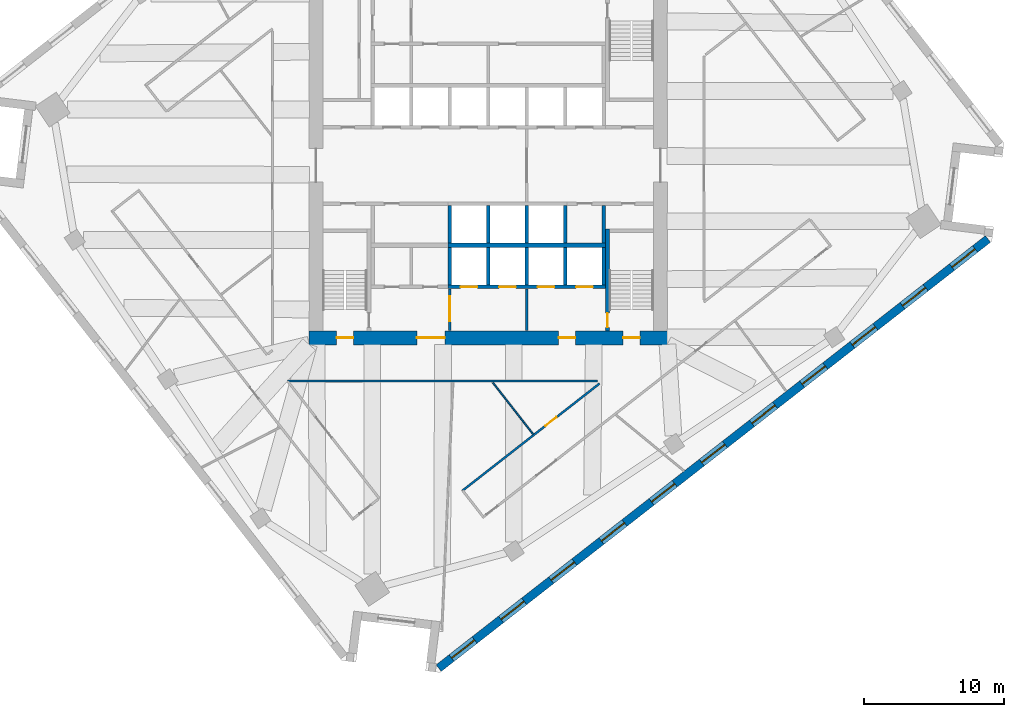
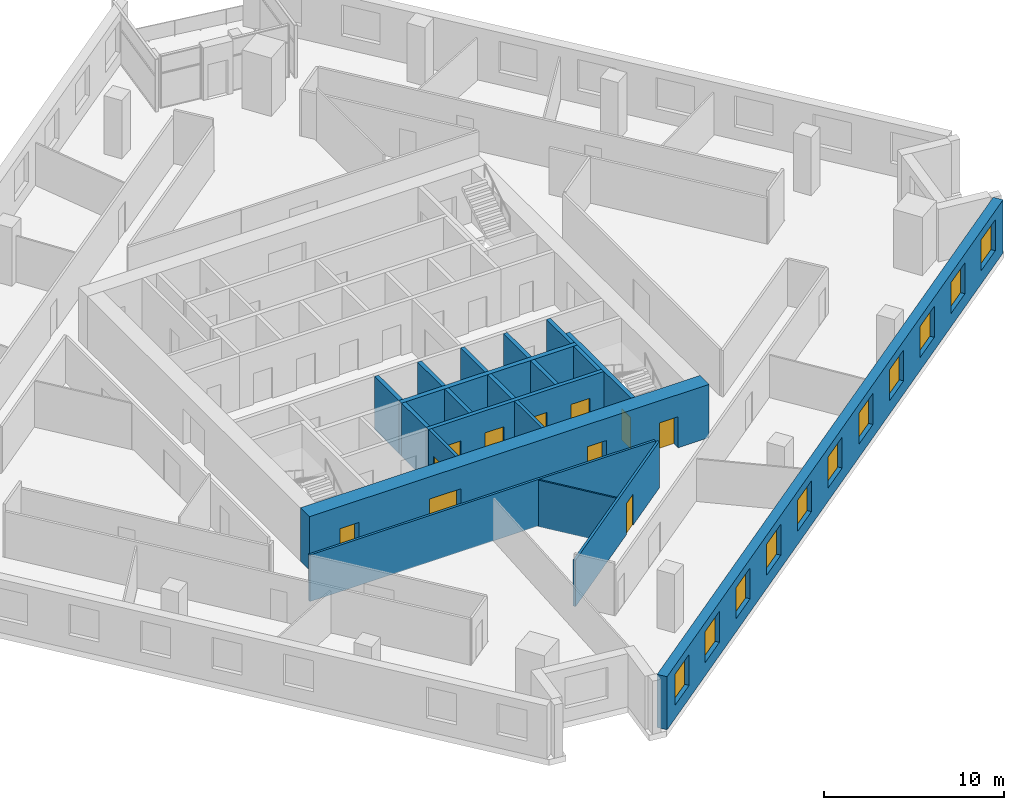
# One storey, part 5 of 11: 20 walls, 11 doors, 11 windows, 22 openings.
"""IFC4 building model written with IfcOpenShell, lengths in metres."""

from ifc_helpers import new_model, si_unit, direction, frame, frame_2d, origin, place, context, subcontext, project, spatial, rectangle, extrude, material, layer, layer_set, type_object, element, fill, save


model = new_model("IFC4")

# Units and contexts
model_context = context("Model", 3, precision=1e-05, world=origin(), true_north=direction((0.0, 1.0)))
body_context = subcontext(model_context, "Body", "Model", "MODEL_VIEW")
ifc_project = project(units=[si_unit("LENGTHUNIT", "METRE"), si_unit("AREAUNIT", "SQUARE_METRE"), si_unit("VOLUMEUNIT", "CUBIC_METRE"), si_unit("PLANEANGLEUNIT", "RADIAN"), si_unit("MASSUNIT", "GRAM", prefix="KILO")], contexts=[model_context])

# Site, building, storey
site_placement = place(None, origin())
site = spatial("IfcSite", under=ifc_project, at=site_placement, CompositionType="ELEMENT")
building_placement = place(site_placement, origin())
building = spatial("IfcBuilding", under=site, at=building_placement, Name="Dilmun Exchange Tower", CompositionType="ELEMENT")
storey_placement = place(building_placement, frame((0.0, 0.0, 175.699951171875)))
storey = spatial("IfcBuildingStorey", under=building, at=storey_placement, Name="L41", CompositionType="ELEMENT", Elevation=175.699951171875)

# Wall, opening, door
ifc_material_1 = material(Name="Concrete C40/50", Category="concrete")
ifc_layer_1 = layer(ifc_material_1, 0.199951171875)
ifc_layer_set_1 = layer_set([ifc_layer_1], Name="Concrete C40/50")
wall_type_1 = type_object("IfcWallType", Name="Core partition wall 200", PredefinedType="PARTITIONING", material=ifc_layer_set_1)
wall_1_placement = place(storey_placement, frame((-2.75, -11.794921875, 0.0), z_axis=(0.0, 0.0, 1.0), x_axis=(0.0, 1.0, 0.0)))
wall_1 = element("IfcWall", 1, at=wall_1_placement, inside=storey, type_object=wall_type_1, Name="L41 core partition wall 01", PredefinedType="PARTITIONING", context=body_context, shape_type="SweptSolid", body=[
    extrude(rectangle(XDim=2.989990234375, YDim=0.199951171875, at=frame_2d((1.4951171875, 0.0))), origin(), (0.0, 0.0, 1.0), 3.60009765625),
])
opening_1_placement = place(wall_1_placement, frame((0.657470703125, 0.0, 0.0)))
opening_1 = element("IfcOpeningElement", 2, at=opening_1_placement, cuts=wall_1, Name="Opening CD5", PredefinedType="OPENING", context=body_context, shape_type="SweptSolid", body=[
    extrude(rectangle(XDim=1.800048828125, YDim=2.10009765625, at=frame_2d((0.89990234375, 1.050048828125))), frame((0.0, 0.10986328125, 0.0), z_axis=(0.0, -1.0, 0.0), x_axis=(1.0, 0.0, 0.0)), (0.0, 0.0, 1.0), 0.219970703125),
])
ifc_material_2 = material(Name="Fire-rated steel door set", Category="steel")
door_type_1 = type_object("IfcDoorType", Name="Stair exit door 1800x2100", OperationType="SINGLE_SWING_LEFT", PredefinedType="DOOR", material=ifc_material_2)
door_1_placement = place(opening_1_placement, origin())
door_1 = element("IfcDoor", 3, at=door_1_placement, inside=storey, type_object=door_type_1, Name="L41 door Service lobby east", OperationType="SINGLE_SWING_LEFT", OverallHeight=2.10009765625, OverallWidth=1.800048828125, PredefinedType="DOOR", context=body_context, shape_type="SweptSolid", body=[
    extrude(rectangle(XDim=1.800048828125, YDim=2.10009765625, at=frame_2d((0.89990234375, 1.050048828125))), frame((0.0, 0.02490234375, 0.0), z_axis=(0.0, -1.0, 0.0), x_axis=(1.0, 0.0, 0.0)), (0.0, 0.0, 1.0), 0.050048828125),
])
fill(opening_1, door_1)

# Walls
wall_2_placement = place(storey_placement, frame((2.75, -11.794921875, 0.0), z_axis=(0.0, 0.0, 1.0), x_axis=(0.0, 1.0, 0.0)))
element("IfcWall", 4, at=wall_2_placement, inside=storey, type_object=wall_type_1, Name="L41 core partition wall 02", PredefinedType="PARTITIONING", context=body_context, shape_type="SweptSolid", body=[
    extrude(rectangle(XDim=2.989990234375, YDim=0.199951171875, at=frame_2d((1.4951171875, 0.0))), origin(), (0.0, 0.0, 1.0), 3.60009765625),
])
ifc_layer_2 = layer(ifc_material_1, 0.25)
ifc_layer_set_2 = layer_set([ifc_layer_2], Name="Concrete C40/50")
wall_type_2 = type_object("IfcWallType", Name="Core partition wall 250", PredefinedType="PARTITIONING", material=ifc_layer_set_2)
wall_3_placement = place(storey_placement, frame((8.25, -5.544921875, 0.0), z_axis=(0.0, 0.0, 1.0), x_axis=(0.0, 1.0, 0.0)))
element("IfcWall", 5, at=wall_3_placement, inside=storey, type_object=wall_type_2, Name="L41 core partition wall 08", PredefinedType="PARTITIONING", context=body_context, shape_type="SweptSolid", body=[
    extrude(rectangle(XDim=2.68994140625, YDim=0.25, at=frame_2d((1.344970703125, 0.0))), origin(), (0.0, 0.0, 1.0), 3.60009765625),
])

# Wall, openings, doors
ifc_material_3 = material(Name="Concrete C70/85", Category="concrete")
ifc_layer_3 = layer(ifc_material_3, 1.0)
ifc_layer_set_3 = layer_set([ifc_layer_3], Name="Concrete C70/85")
wall_type_3 = type_object("IfcWallType", Name="Core shear wall 1000 Concrete C70/85", PredefinedType="SHEAR", material=ifc_layer_set_3)
wall_4_placement = place(storey_placement, frame((-12.800048828125, -12.300048828125, 0.0), z_axis=(0.0, 0.0, 1.0), x_axis=(1.0, 0.0, 0.0)))
wall_4 = element("IfcWall", 6, at=wall_4_placement, inside=storey, type_object=wall_type_3, Name="L41 core shear wall S", PredefinedType="SHEAR", context=body_context, shape_type="SweptSolid", body=[
    extrude(rectangle(XDim=25.60009765625, YDim=1.0, at=frame_2d((12.800048828125, 0.0))), origin(), (0.0, 0.0, 1.0), 3.60009765625),
])
opening_2_placement = place(wall_4_placement, frame((7.699951171875, 0.0, 0.0)))
opening_2 = element("IfcOpeningElement", 7, at=opening_2_placement, cuts=wall_4, Name="Opening CD2", PredefinedType="OPENING", context=body_context, shape_type="SweptSolid", body=[
    extrude(rectangle(XDim=2.0, YDim=2.10009765625, at=frame_2d((1.0, 1.050048828125))), frame((0.0, 0.510009765625, 0.0), z_axis=(0.0, -1.0, 0.0), x_axis=(1.0, 0.0, 0.0)), (0.0, 0.0, 1.0), 1.02001953125),
])
opening_3_placement = place(wall_4_placement, frame((17.824951171875, 0.0, 0.0)))
opening_3 = element("IfcOpeningElement", 8, at=opening_3_placement, cuts=wall_4, Name="Opening CD3", PredefinedType="OPENING", context=body_context, shape_type="SweptSolid", body=[
    extrude(rectangle(XDim=1.199951171875, YDim=2.10009765625, at=frame_2d((0.60009765625, 1.050048828125))), frame((0.0, 0.510009765625, 0.0), z_axis=(0.0, -1.0, 0.0), x_axis=(1.0, 0.0, 0.0)), (0.0, 0.0, 1.0), 1.02001953125),
])
opening_4_placement = place(wall_4_placement, frame((1.97509765625, 0.0, 0.0)))
opening_4 = element("IfcOpeningElement", 9, at=opening_4_placement, cuts=wall_4, Name="Opening CD3", PredefinedType="OPENING", context=body_context, shape_type="SweptSolid", body=[
    extrude(rectangle(XDim=1.199951171875, YDim=2.10009765625, at=frame_2d((0.60009765625, 1.050048828125))), frame((0.0, 0.510009765625, 0.0), z_axis=(0.0, -1.0, 0.0), x_axis=(1.0, 0.0, 0.0)), (0.0, 0.0, 1.0), 1.02001953125),
])
opening_5_placement = place(wall_4_placement, frame((22.425048828125, 0.0, 0.0)))
opening_5 = element("IfcOpeningElement", 10, at=opening_5_placement, cuts=wall_4, Name="Opening CD3", PredefinedType="OPENING", context=body_context, shape_type="SweptSolid", body=[
    extrude(rectangle(XDim=1.199951171875, YDim=2.10009765625, at=frame_2d((0.60009765625, 1.050048828125))), frame((0.0, 0.510009765625, 0.0), z_axis=(0.0, -1.0, 0.0), x_axis=(1.0, 0.0, 0.0)), (0.0, 0.0, 1.0), 1.02001953125),
])
door_type_2 = type_object("IfcDoorType", Name="Core service door 2000x2100", OperationType="DOUBLE_DOOR_DOUBLE_SWING", PredefinedType="DOOR", material=ifc_material_2)
door_2_placement = place(opening_2_placement, origin())
door_2 = element("IfcDoor", 11, at=door_2_placement, inside=storey, type_object=door_type_2, Name="L41 door South service lobby", OperationType="SINGLE_SWING_LEFT", OverallHeight=2.10009765625, OverallWidth=2.0, PredefinedType="DOOR", context=body_context, shape_type="SweptSolid", body=[
    extrude(rectangle(XDim=2.0, YDim=2.10009765625, at=frame_2d((1.0, 1.050048828125))), frame((0.0, 0.02490234375, 0.0), z_axis=(0.0, -1.0, 0.0), x_axis=(1.0, 0.0, 0.0)), (0.0, 0.0, 1.0), 0.050048828125),
])
fill(opening_2, door_2)
door_type_3 = type_object("IfcDoorType", Name="Stair exit door 1200x2100", OperationType="SINGLE_SWING_LEFT", PredefinedType="DOOR", material=ifc_material_2)
door_3_placement = place(opening_3_placement, origin())
door_3 = element("IfcDoor", 12, at=door_3_placement, inside=storey, type_object=door_type_3, Name="L41 door Fire-fighting lobby", OperationType="SINGLE_SWING_LEFT", OverallHeight=2.10009765625, OverallWidth=1.199951171875, PredefinedType="DOOR", context=body_context, shape_type="SweptSolid", body=[
    extrude(rectangle(XDim=1.199951171875, YDim=2.10009765625, at=frame_2d((0.60009765625, 1.050048828125))), frame((0.0, 0.02490234375, 0.0), z_axis=(0.0, -1.0, 0.0), x_axis=(1.0, 0.0, 0.0)), (0.0, 0.0, 1.0), 0.050048828125),
])
fill(opening_3, door_3)
door_4_placement = place(opening_4_placement, origin())
door_4 = element("IfcDoor", 13, at=door_4_placement, inside=storey, type_object=door_type_3, Name="L41 door Stair ST2", OperationType="SINGLE_SWING_LEFT", OverallHeight=2.10009765625, OverallWidth=1.199951171875, PredefinedType="DOOR", context=body_context, shape_type="SweptSolid", body=[
    extrude(rectangle(XDim=1.199951171875, YDim=2.10009765625, at=frame_2d((0.60009765625, 1.050048828125))), frame((0.0, 0.02490234375, 0.0), z_axis=(0.0, -1.0, 0.0), x_axis=(1.0, 0.0, 0.0)), (0.0, 0.0, 1.0), 0.050048828125),
])
fill(opening_4, door_4)
door_5_placement = place(opening_5_placement, origin())
door_5 = element("IfcDoor", 14, at=door_5_placement, inside=storey, type_object=door_type_3, Name="L41 door Stair ST3", OperationType="SINGLE_SWING_LEFT", OverallHeight=2.10009765625, OverallWidth=1.199951171875, PredefinedType="DOOR", context=body_context, shape_type="SweptSolid", body=[
    extrude(rectangle(XDim=1.199951171875, YDim=2.10009765625, at=frame_2d((0.60009765625, 1.050048828125))), frame((0.0, 0.02490234375, 0.0), z_axis=(0.0, -1.0, 0.0), x_axis=(1.0, 0.0, 0.0)), (0.0, 0.0, 1.0), 0.050048828125),
])
fill(opening_5, door_5)

# Wall
ifc_material_4 = material(Name="Corridor wall 150")
ifc_layer_4 = layer(ifc_material_4, 0.14990234375)
ifc_layer_set_4 = layer_set([ifc_layer_4], Name="Corridor wall 150")
wall_type_4 = type_object("IfcWallType", Name="Corridor wall 150", PredefinedType="PARTITIONING", material=ifc_layer_set_4)
wall_5_placement = place(storey_placement, frame((-14.31201171875, -15.39990234375, 0.0), z_axis=(0.0, 0.0, 1.0), x_axis=(1.0, 0.0, 0.0)))
element("IfcWall", 15, at=wall_5_placement, inside=storey, type_object=wall_type_4, Name="Corridor wall", PredefinedType="PARTITIONING", context=body_context, shape_type="SweptSolid", body=[
    extrude(rectangle(XDim=22.125, YDim=0.14990234375, at=frame_2d((11.0625, 0.0))), origin(), (0.0, 0.0, 1.0), 3.150146484375),
])

# Wall, opening, door
wall_6_placement = place(storey_placement, frame((-1.824951171875, -23.202880859375, 0.0), z_axis=(0.0, 0.0, 1.0), x_axis=(0.788016612455, 0.615653976269, 0.0)))
wall_6 = element("IfcWall", 16, at=wall_6_placement, inside=storey, type_object=wall_type_4, Name="Corridor wall", PredefinedType="PARTITIONING", context=body_context, shape_type="SweptSolid", body=[
    extrude(rectangle(XDim=12.3994140625, YDim=0.14990234375, at=frame_2d((6.19970703125, 0.0))), origin(), (0.0, 0.0, 1.0), 3.150146484375),
])
opening_6_placement = place(wall_6_placement, frame((7.4921875, 0.0, 0.0)))
opening_6 = element("IfcOpeningElement", 17, at=opening_6_placement, cuts=wall_6, Name="Opening TF41-D12", PredefinedType="OPENING", context=body_context, shape_type="SweptSolid", body=[
    extrude(rectangle(XDim=1.0, YDim=2.10009765625, at=frame_2d((0.5, 1.050048828125))), frame((0.0, 0.0849609375, 0.0), z_axis=(0.0, -1.0, 0.0), x_axis=(1.0, 0.0, 0.0)), (0.0, 0.0, 1.0), 0.169921875),
])
ifc_material_5 = material(Name="Fire door 1000 x 2100")
door_type_4 = type_object("IfcDoorType", Name="Fire door 1000 x 2100", OperationType="NOTDEFINED", PredefinedType="DOOR", material=ifc_material_5)
door_6_placement = place(opening_6_placement, origin())
door_6 = element("IfcDoor", 18, at=door_6_placement, inside=storey, type_object=door_type_4, Name="Door TF41-D12", OperationType="SINGLE_SWING_LEFT", OverallHeight=2.10009765625, OverallWidth=1.0, PredefinedType="DOOR", context=body_context, shape_type="SweptSolid", body=[
    extrude(rectangle(XDim=1.0, YDim=2.10009765625, at=frame_2d((0.5, 1.050048828125))), frame((0.0, 0.02490234375, 0.0), z_axis=(0.0, -1.0, 0.0), x_axis=(1.0, 0.0, 0.0)), (0.0, 0.0, 1.0), 0.050048828125),
])
fill(opening_6, door_6)

# Walls
ifc_layer_5 = layer(ifc_material_1, 0.300048828125)
ifc_layer_set_5 = layer_set([ifc_layer_5], Name="Concrete C40/50")
wall_type_5 = type_object("IfcWallType", Name="Lift shaft shared wall 300", PredefinedType="SOLIDWALL", material=ifc_layer_set_5)
wall_7_placement = place(storey_placement, frame((-2.875, -5.699951171875, 0.0), z_axis=(0.0, 0.0, 1.0), x_axis=(1.0, 0.0, 0.0)))
element("IfcWall", 19, at=wall_7_placement, inside=storey, type_object=wall_type_5, Name="L41 lift shaft rear wall S", PredefinedType="SOLIDWALL", context=body_context, shape_type="SweptSolid", body=[
    extrude(rectangle(XDim=11.25, YDim=0.300048828125, at=frame_2d((5.625, 0.0))), origin(), (0.0, 0.0, 1.0), 3.60009765625),
])
ifc_layer_6 = layer(ifc_material_1, 0.25)
ifc_layer_set_6 = layer_set([ifc_layer_6], Name="Concrete C40/50")
wall_type_6 = type_object("IfcWallType", Name="Lift shaft wall 250", PredefinedType="SOLIDWALL", material=ifc_layer_set_6)
for number, where, z_axis, x_axis, name in (
    (20, (-2.75, -5.550048828125, 0.0), (0.0, 0.0, 1.0), (0.0, 1.0, 0.0), "L41 lift shaft divider S12"),
    (21, (0.0, -5.550048828125, 0.0), (0.0, 0.0, 1.0), (0.0, 1.0, 0.0), "L41 lift shaft divider S13"),
    (22, (2.75, -5.550048828125, 0.0), (0.0, 0.0, 1.0), (0.0, 1.0, 0.0), "L41 lift shaft divider S14"),
    (23, (5.5, -5.550048828125, 0.0), (0.0, 0.0, 1.0), (0.0, 1.0, 0.0), "L41 lift shaft divider S15"),
):
    element("IfcWall", number, at=place(storey_placement, frame(where, z_axis=z_axis, x_axis=x_axis)), inside=storey, type_object=wall_type_6, Name=name, PredefinedType="SOLIDWALL", context=body_context, shape_type="SweptSolid", body=[
        extrude(rectangle(XDim=2.699951171875, YDim=0.25, at=frame_2d((1.35009765625, 0.0))), origin(), (0.0, 0.0, 1.0), 3.60009765625),
    ])

# Wall, openings, doors
wall_8_placement = place(storey_placement, frame((-2.875, -8.675048828125, 0.0), z_axis=(0.0, 0.0, 1.0), x_axis=(1.0, 0.0, 0.0)))
wall_8 = element("IfcWall", 24, at=wall_8_placement, inside=storey, type_object=wall_type_6, Name="L41 lift shaft front wall S2", PredefinedType="SOLIDWALL", context=body_context, shape_type="SweptSolid", body=[
    extrude(rectangle(XDim=11.25, YDim=0.25, at=frame_2d((5.625, 0.0))), origin(), (0.0, 0.0, 1.0), 3.60009765625),
])
opening_7_placement = place(wall_8_placement, frame((0.89990234375, 0.0, 0.0)))
opening_7 = element("IfcOpeningElement", 25, at=opening_7_placement, cuts=wall_8, Name="Opening LD", PredefinedType="OPENING", context=body_context, shape_type="SweptSolid", body=[
    extrude(rectangle(XDim=1.199951171875, YDim=2.10009765625, at=frame_2d((0.60009765625, 1.050048828125))), frame((0.0, 0.135009765625, 0.0), z_axis=(0.0, -1.0, 0.0), x_axis=(1.0, 0.0, 0.0)), (0.0, 0.0, 1.0), 0.27001953125),
])
opening_8_placement = place(wall_8_placement, frame((3.64990234375, 0.0, 0.0)))
opening_8 = element("IfcOpeningElement", 26, at=opening_8_placement, cuts=wall_8, Name="Opening LD", PredefinedType="OPENING", context=body_context, shape_type="SweptSolid", body=[
    extrude(rectangle(XDim=1.199951171875, YDim=2.10009765625, at=frame_2d((0.60009765625, 1.050048828125))), frame((0.0, 0.135009765625, 0.0), z_axis=(0.0, -1.0, 0.0), x_axis=(1.0, 0.0, 0.0)), (0.0, 0.0, 1.0), 0.27001953125),
])
opening_9_placement = place(wall_8_placement, frame((6.39990234375, 0.0, 0.0)))
opening_9 = element("IfcOpeningElement", 27, at=opening_9_placement, cuts=wall_8, Name="Opening LD", PredefinedType="OPENING", context=body_context, shape_type="SweptSolid", body=[
    extrude(rectangle(XDim=1.199951171875, YDim=2.10009765625, at=frame_2d((0.60009765625, 1.050048828125))), frame((0.0, 0.135009765625, 0.0), z_axis=(0.0, -1.0, 0.0), x_axis=(1.0, 0.0, 0.0)), (0.0, 0.0, 1.0), 0.27001953125),
])
opening_10_placement = place(wall_8_placement, frame((9.14990234375, 0.0, 0.0)))
opening_10 = element("IfcOpeningElement", 28, at=opening_10_placement, cuts=wall_8, Name="Opening LD", PredefinedType="OPENING", context=body_context, shape_type="SweptSolid", body=[
    extrude(rectangle(XDim=1.199951171875, YDim=2.10009765625, at=frame_2d((0.60009765625, 1.050048828125))), frame((0.0, 0.135009765625, 0.0), z_axis=(0.0, -1.0, 0.0), x_axis=(1.0, 0.0, 0.0)), (0.0, 0.0, 1.0), 0.27001953125),
])
door_type_5 = type_object("IfcDoorType", Name="Lift landing door 1200x2100", OperationType="DOUBLE_DOOR_SLIDING", PredefinedType="DOOR", material=ifc_material_2)
door_7_placement = place(opening_7_placement, origin())
door_7 = element("IfcDoor", 29, at=door_7_placement, inside=storey, type_object=door_type_5, Name="L41 landing door SV1", OperationType="DOUBLE_DOOR_SLIDING", OverallHeight=2.10009765625, OverallWidth=1.199951171875, PredefinedType="DOOR", context=body_context, shape_type="SweptSolid", body=[
    extrude(rectangle(XDim=1.199951171875, YDim=2.10009765625, at=frame_2d((0.60009765625, 1.050048828125))), frame((0.0, 0.02490234375, 0.0), z_axis=(0.0, -1.0, 0.0), x_axis=(1.0, 0.0, 0.0)), (0.0, 0.0, 1.0), 0.050048828125),
])
fill(opening_7, door_7)
door_8_placement = place(opening_8_placement, origin())
door_8 = element("IfcDoor", 30, at=door_8_placement, inside=storey, type_object=door_type_5, Name="L41 landing door SV2", OperationType="DOUBLE_DOOR_SLIDING", OverallHeight=2.10009765625, OverallWidth=1.199951171875, PredefinedType="DOOR", context=body_context, shape_type="SweptSolid", body=[
    extrude(rectangle(XDim=1.199951171875, YDim=2.10009765625, at=frame_2d((0.60009765625, 1.050048828125))), frame((0.0, 0.02490234375, 0.0), z_axis=(0.0, -1.0, 0.0), x_axis=(1.0, 0.0, 0.0)), (0.0, 0.0, 1.0), 0.050048828125),
])
fill(opening_8, door_8)
door_9_placement = place(opening_9_placement, origin())
door_9 = element("IfcDoor", 31, at=door_9_placement, inside=storey, type_object=door_type_5, Name="L41 landing door FF1", OperationType="DOUBLE_DOOR_SLIDING", OverallHeight=2.10009765625, OverallWidth=1.199951171875, PredefinedType="DOOR", context=body_context, shape_type="SweptSolid", body=[
    extrude(rectangle(XDim=1.199951171875, YDim=2.10009765625, at=frame_2d((0.60009765625, 1.050048828125))), frame((0.0, 0.02490234375, 0.0), z_axis=(0.0, -1.0, 0.0), x_axis=(1.0, 0.0, 0.0)), (0.0, 0.0, 1.0), 0.050048828125),
])
fill(opening_9, door_9)
door_10_placement = place(opening_10_placement, origin())
door_10 = element("IfcDoor", 32, at=door_10_placement, inside=storey, type_object=door_type_5, Name="L41 landing door FF2", OperationType="DOUBLE_DOOR_SLIDING", OverallHeight=2.10009765625, OverallWidth=1.199951171875, PredefinedType="DOOR", context=body_context, shape_type="SweptSolid", body=[
    extrude(rectangle(XDim=1.199951171875, YDim=2.10009765625, at=frame_2d((0.60009765625, 1.050048828125))), frame((0.0, 0.02490234375, 0.0), z_axis=(0.0, -1.0, 0.0), x_axis=(1.0, 0.0, 0.0)), (0.0, 0.0, 1.0), 0.050048828125),
])
fill(opening_10, door_10)

# Walls
for number, where, z_axis, x_axis, name in (
    (33, (-2.75, -8.550048828125, 0.0), (0.0, 0.0, 1.0), (0.0, 1.0, 0.0), "L41 lift shaft divider S22"),
    (34, (0.0, -8.550048828125, 0.0), (0.0, 0.0, 1.0), (0.0, 1.0, 0.0), "L41 lift shaft divider S23"),
    (35, (2.75, -8.550048828125, 0.0), (0.0, 0.0, 1.0), (0.0, 1.0, 0.0), "L41 lift shaft divider S24"),
    (36, (5.5, -8.550048828125, 0.0), (0.0, 0.0, 1.0), (0.0, 1.0, 0.0), "L41 lift shaft divider S25"),
    (37, (8.25, -8.550048828125, 0.0), (0.0, 0.0, 1.0), (0.0, 1.0, 0.0), "L41 lift shaft divider S26"),
):
    element("IfcWall", number, at=place(storey_placement, frame(where, z_axis=z_axis, x_axis=x_axis)), inside=storey, type_object=wall_type_6, Name=name, PredefinedType="SOLIDWALL", context=body_context, shape_type="SweptSolid", body=[
        extrude(rectangle(XDim=2.699951171875, YDim=0.25, at=frame_2d((1.35009765625, 0.0))), origin(), (0.0, 0.0, 1.0), 3.60009765625),
    ])
ifc_material_6 = material(Name="Partition 100")
ifc_layer_7 = layer(ifc_material_6, 0.10009765625)
ifc_layer_set_7 = layer_set([ifc_layer_7], Name="Partition 100")
wall_type_7 = type_object("IfcWallType", Name="Partition 100", PredefinedType="PARTITIONING", material=ifc_layer_set_7)
wall_9_placement = place(storey_placement, frame((0.336669921875, -15.505859375, 0.0), z_axis=(0.0, 0.0, 1.0), x_axis=(0.615683690883, -0.787993396407, 0.0)))
element("IfcWall", 38, at=wall_9_placement, inside=storey, type_object=wall_type_7, Name="Partition", PredefinedType="PARTITIONING", context=body_context, shape_type="SweptSolid", body=[
    extrude(rectangle(XDim=4.66015625, YDim=0.10009765625, at=frame_2d((2.330078125, 0.0))), origin(), (0.0, 0.0, 1.0), 3.150146484375),
])

# Wall, openings, windows
ifc_material_7 = material(Name="Precast concrete C50/60", Category="concrete")
ifc_layer_8 = layer(ifc_material_7, 0.60009765625)
ifc_layer_set_8 = layer_set([ifc_layer_8], Name="Precast concrete C50/60")
wall_type_8 = type_object("IfcWallType", Name="Precast stone-clad wall 600", PredefinedType="STANDARD", material=ifc_layer_set_8)
wall_10_placement = place(storey_placement, frame((-3.53369140625, -35.882080078125, 0.0), z_axis=(0.0, 0.0, 1.0), x_axis=(0.788011205374, 0.61566089709, 0.0)))
wall_10 = element("IfcWall", 39, at=wall_10_placement, inside=storey, type_object=wall_type_8, Name="Facade wall L41-15", PredefinedType="STANDARD", context=body_context, shape_type="SweptSolid", body=[
    extrude(rectangle(XDim=49.751708984375, YDim=0.60009765625, at=frame_2d((24.8759765625, 0.0))), origin(), (0.0, 0.0, 1.0), 3.60009765625),
])
opening_11_placement = place(wall_10_placement, frame((1.16064453125, 0.0, 0.89990234375)))
opening_11 = element("IfcOpeningElement", 40, at=opening_11_placement, cuts=wall_10, Name="Opening W210-210", PredefinedType="OPENING", context=body_context, shape_type="SweptSolid", body=[
    extrude(rectangle(XDim=2.10009765625, YDim=2.10009765625, at=frame_2d((1.050048828125, 1.050048828125))), frame((0.0, 0.31005859375, 0.0), z_axis=(0.0, -1.0, 0.0), x_axis=(1.0, 0.0, 0.0)), (0.0, 0.0, 1.0), 0.6201171875),
])
opening_12_placement = place(wall_10_placement, frame((5.643798828125, 0.0, 0.89990234375)))
opening_12 = element("IfcOpeningElement", 41, at=opening_12_placement, cuts=wall_10, Name="Opening W210-210", PredefinedType="OPENING", context=body_context, shape_type="SweptSolid", body=[
    extrude(rectangle(XDim=2.10009765625, YDim=2.10009765625, at=frame_2d((1.050048828125, 1.050048828125))), frame((0.0, 0.31005859375, 0.0), z_axis=(0.0, -1.0, 0.0), x_axis=(1.0, 0.0, 0.0)), (0.0, 0.0, 1.0), 0.6201171875),
])
opening_13_placement = place(wall_10_placement, frame((10.189453125, 0.0, 0.89990234375)))
opening_13 = element("IfcOpeningElement", 42, at=opening_13_placement, cuts=wall_10, Name="Opening W210-210", PredefinedType="OPENING", context=body_context, shape_type="SweptSolid", body=[
    extrude(rectangle(XDim=2.10009765625, YDim=2.10009765625, at=frame_2d((1.050048828125, 1.050048828125))), frame((0.0, 0.31005859375, 0.0), z_axis=(0.0, -1.0, 0.0), x_axis=(1.0, 0.0, 0.0)), (0.0, 0.0, 1.0), 0.6201171875),
])
opening_14_placement = place(wall_10_placement, frame((14.73486328125, 0.0, 0.89990234375)))
opening_14 = element("IfcOpeningElement", 43, at=opening_14_placement, cuts=wall_10, Name="Opening W210-210", PredefinedType="OPENING", context=body_context, shape_type="SweptSolid", body=[
    extrude(rectangle(XDim=2.10009765625, YDim=2.10009765625, at=frame_2d((1.050048828125, 1.050048828125))), frame((0.0, 0.31005859375, 0.0), z_axis=(0.0, -1.0, 0.0), x_axis=(1.0, 0.0, 0.0)), (0.0, 0.0, 1.0), 0.6201171875),
])
opening_15_placement = place(wall_10_placement, frame((19.2802734375, 0.0, 0.89990234375)))
opening_15 = element("IfcOpeningElement", 44, at=opening_15_placement, cuts=wall_10, Name="Opening W210-210", PredefinedType="OPENING", context=body_context, shape_type="SweptSolid", body=[
    extrude(rectangle(XDim=2.10009765625, YDim=2.10009765625, at=frame_2d((1.050048828125, 1.050048828125))), frame((0.0, 0.31005859375, 0.0), z_axis=(0.0, -1.0, 0.0), x_axis=(1.0, 0.0, 0.0)), (0.0, 0.0, 1.0), 0.6201171875),
])
opening_16_placement = place(wall_10_placement, frame((23.82568359375, 0.0, 0.89990234375)))
opening_16 = element("IfcOpeningElement", 45, at=opening_16_placement, cuts=wall_10, Name="Opening W210-210", PredefinedType="OPENING", context=body_context, shape_type="SweptSolid", body=[
    extrude(rectangle(XDim=2.10009765625, YDim=2.10009765625, at=frame_2d((1.050048828125, 1.050048828125))), frame((0.0, 0.31005859375, 0.0), z_axis=(0.0, -1.0, 0.0), x_axis=(1.0, 0.0, 0.0)), (0.0, 0.0, 1.0), 0.6201171875),
])
opening_17_placement = place(wall_10_placement, frame((28.37109375, 0.0, 0.89990234375)))
opening_17 = element("IfcOpeningElement", 46, at=opening_17_placement, cuts=wall_10, Name="Opening W210-210", PredefinedType="OPENING", context=body_context, shape_type="SweptSolid", body=[
    extrude(rectangle(XDim=2.10009765625, YDim=2.10009765625, at=frame_2d((1.050048828125, 1.050048828125))), frame((0.0, 0.31005859375, 0.0), z_axis=(0.0, -1.0, 0.0), x_axis=(1.0, 0.0, 0.0)), (0.0, 0.0, 1.0), 0.6201171875),
])
opening_18_placement = place(wall_10_placement, frame((32.91650390625, 0.0, 0.89990234375)))
opening_18 = element("IfcOpeningElement", 47, at=opening_18_placement, cuts=wall_10, Name="Opening W210-210", PredefinedType="OPENING", context=body_context, shape_type="SweptSolid", body=[
    extrude(rectangle(XDim=2.10009765625, YDim=2.10009765625, at=frame_2d((1.050048828125, 1.050048828125))), frame((0.0, 0.31005859375, 0.0), z_axis=(0.0, -1.0, 0.0), x_axis=(1.0, 0.0, 0.0)), (0.0, 0.0, 1.0), 0.6201171875),
])
opening_19_placement = place(wall_10_placement, frame((37.462158203125, 0.0, 0.89990234375)))
opening_19 = element("IfcOpeningElement", 48, at=opening_19_placement, cuts=wall_10, Name="Opening W210-210", PredefinedType="OPENING", context=body_context, shape_type="SweptSolid", body=[
    extrude(rectangle(XDim=2.10009765625, YDim=2.10009765625, at=frame_2d((1.050048828125, 1.050048828125))), frame((0.0, 0.31005859375, 0.0), z_axis=(0.0, -1.0, 0.0), x_axis=(1.0, 0.0, 0.0)), (0.0, 0.0, 1.0), 0.6201171875),
])
opening_20_placement = place(wall_10_placement, frame((42.007568359375, 0.0, 0.89990234375)))
opening_20 = element("IfcOpeningElement", 49, at=opening_20_placement, cuts=wall_10, Name="Opening W210-210", PredefinedType="OPENING", context=body_context, shape_type="SweptSolid", body=[
    extrude(rectangle(XDim=2.10009765625, YDim=2.10009765625, at=frame_2d((1.050048828125, 1.050048828125))), frame((0.0, 0.31005859375, 0.0), z_axis=(0.0, -1.0, 0.0), x_axis=(1.0, 0.0, 0.0)), (0.0, 0.0, 1.0), 0.6201171875),
])
opening_21_placement = place(wall_10_placement, frame((46.490966796875, 0.0, 0.89990234375)))
opening_21 = element("IfcOpeningElement", 50, at=opening_21_placement, cuts=wall_10, Name="Opening W210-210", PredefinedType="OPENING", context=body_context, shape_type="SweptSolid", body=[
    extrude(rectangle(XDim=2.10009765625, YDim=2.10009765625, at=frame_2d((1.050048828125, 1.050048828125))), frame((0.0, 0.31005859375, 0.0), z_axis=(0.0, -1.0, 0.0), x_axis=(1.0, 0.0, 0.0)), (0.0, 0.0, 1.0), 0.6201171875),
])
ifc_material_8 = material(Name="Clear low-emissivity glass in aluminium frame", Category="aluminium")
window_type = type_object("IfcWindowType", Name="Punched window 2100 x 2100", PartitioningType="DOUBLE_PANEL_VERTICAL", PredefinedType="WINDOW", material=ifc_material_8)
window_1_placement = place(opening_11_placement, origin())
window_1 = element("IfcWindow", 51, at=window_1_placement, inside=storey, type_object=window_type, Name="Window 16.1", OverallHeight=2.10009765625, OverallWidth=2.10009765625, PartitioningType="SINGLE_PANEL", PredefinedType="WINDOW", context=body_context, shape_type="SweptSolid", body=[
    extrude(rectangle(XDim=2.10009765625, YDim=2.10009765625, at=frame_2d((1.050048828125, 1.050048828125))), frame((0.0, 0.030029296875, 0.0), z_axis=(0.0, -1.0, 0.0), x_axis=(1.0, 0.0, 0.0)), (0.0, 0.0, 1.0), 0.06005859375),
])
fill(opening_11, window_1)
window_2_placement = place(opening_12_placement, origin())
window_2 = element("IfcWindow", 52, at=window_2_placement, inside=storey, type_object=window_type, Name="Window 16.2", OverallHeight=2.10009765625, OverallWidth=2.10009765625, PartitioningType="SINGLE_PANEL", PredefinedType="WINDOW", context=body_context, shape_type="SweptSolid", body=[
    extrude(rectangle(XDim=2.10009765625, YDim=2.10009765625, at=frame_2d((1.050048828125, 1.050048828125))), frame((0.0, 0.030029296875, 0.0), z_axis=(0.0, -1.0, 0.0), x_axis=(1.0, 0.0, 0.0)), (0.0, 0.0, 1.0), 0.06005859375),
])
fill(opening_12, window_2)
window_3_placement = place(opening_13_placement, origin())
window_3 = element("IfcWindow", 53, at=window_3_placement, inside=storey, type_object=window_type, Name="Window 16.3", OverallHeight=2.10009765625, OverallWidth=2.10009765625, PartitioningType="SINGLE_PANEL", PredefinedType="WINDOW", context=body_context, shape_type="SweptSolid", body=[
    extrude(rectangle(XDim=2.10009765625, YDim=2.10009765625, at=frame_2d((1.050048828125, 1.050048828125))), frame((0.0, 0.030029296875, 0.0), z_axis=(0.0, -1.0, 0.0), x_axis=(1.0, 0.0, 0.0)), (0.0, 0.0, 1.0), 0.06005859375),
])
fill(opening_13, window_3)
window_4_placement = place(opening_14_placement, origin())
window_4 = element("IfcWindow", 54, at=window_4_placement, inside=storey, type_object=window_type, Name="Window 16.4", OverallHeight=2.10009765625, OverallWidth=2.10009765625, PartitioningType="SINGLE_PANEL", PredefinedType="WINDOW", context=body_context, shape_type="SweptSolid", body=[
    extrude(rectangle(XDim=2.10009765625, YDim=2.10009765625, at=frame_2d((1.050048828125, 1.050048828125))), frame((0.0, 0.030029296875, 0.0), z_axis=(0.0, -1.0, 0.0), x_axis=(1.0, 0.0, 0.0)), (0.0, 0.0, 1.0), 0.06005859375),
])
fill(opening_14, window_4)
window_5_placement = place(opening_15_placement, origin())
window_5 = element("IfcWindow", 55, at=window_5_placement, inside=storey, type_object=window_type, Name="Window 16.5", OverallHeight=2.10009765625, OverallWidth=2.10009765625, PartitioningType="SINGLE_PANEL", PredefinedType="WINDOW", context=body_context, shape_type="SweptSolid", body=[
    extrude(rectangle(XDim=2.10009765625, YDim=2.10009765625, at=frame_2d((1.050048828125, 1.050048828125))), frame((0.0, 0.030029296875, 0.0), z_axis=(0.0, -1.0, 0.0), x_axis=(1.0, 0.0, 0.0)), (0.0, 0.0, 1.0), 0.06005859375),
])
fill(opening_15, window_5)
window_6_placement = place(opening_16_placement, origin())
window_6 = element("IfcWindow", 56, at=window_6_placement, inside=storey, type_object=window_type, Name="Window 16.6", OverallHeight=2.10009765625, OverallWidth=2.10009765625, PartitioningType="SINGLE_PANEL", PredefinedType="WINDOW", context=body_context, shape_type="SweptSolid", body=[
    extrude(rectangle(XDim=2.10009765625, YDim=2.10009765625, at=frame_2d((1.050048828125, 1.050048828125))), frame((0.0, 0.030029296875, 0.0), z_axis=(0.0, -1.0, 0.0), x_axis=(1.0, 0.0, 0.0)), (0.0, 0.0, 1.0), 0.06005859375),
])
fill(opening_16, window_6)
window_7_placement = place(opening_17_placement, origin())
window_7 = element("IfcWindow", 57, at=window_7_placement, inside=storey, type_object=window_type, Name="Window 16.7", OverallHeight=2.10009765625, OverallWidth=2.10009765625, PartitioningType="SINGLE_PANEL", PredefinedType="WINDOW", context=body_context, shape_type="SweptSolid", body=[
    extrude(rectangle(XDim=2.10009765625, YDim=2.10009765625, at=frame_2d((1.050048828125, 1.050048828125))), frame((0.0, 0.030029296875, 0.0), z_axis=(0.0, -1.0, 0.0), x_axis=(1.0, 0.0, 0.0)), (0.0, 0.0, 1.0), 0.06005859375),
])
fill(opening_17, window_7)
window_8_placement = place(opening_18_placement, origin())
window_8 = element("IfcWindow", 58, at=window_8_placement, inside=storey, type_object=window_type, Name="Window 16.8", OverallHeight=2.10009765625, OverallWidth=2.10009765625, PartitioningType="SINGLE_PANEL", PredefinedType="WINDOW", context=body_context, shape_type="SweptSolid", body=[
    extrude(rectangle(XDim=2.10009765625, YDim=2.10009765625, at=frame_2d((1.050048828125, 1.050048828125))), frame((0.0, 0.030029296875, 0.0), z_axis=(0.0, -1.0, 0.0), x_axis=(1.0, 0.0, 0.0)), (0.0, 0.0, 1.0), 0.06005859375),
])
fill(opening_18, window_8)
window_9_placement = place(opening_19_placement, origin())
window_9 = element("IfcWindow", 59, at=window_9_placement, inside=storey, type_object=window_type, Name="Window 16.9", OverallHeight=2.10009765625, OverallWidth=2.10009765625, PartitioningType="SINGLE_PANEL", PredefinedType="WINDOW", context=body_context, shape_type="SweptSolid", body=[
    extrude(rectangle(XDim=2.10009765625, YDim=2.10009765625, at=frame_2d((1.050048828125, 1.050048828125))), frame((0.0, 0.030029296875, 0.0), z_axis=(0.0, -1.0, 0.0), x_axis=(1.0, 0.0, 0.0)), (0.0, 0.0, 1.0), 0.06005859375),
])
fill(opening_19, window_9)
window_10_placement = place(opening_20_placement, origin())
window_10 = element("IfcWindow", 60, at=window_10_placement, inside=storey, type_object=window_type, Name="Window 16.10", OverallHeight=2.10009765625, OverallWidth=2.10009765625, PartitioningType="SINGLE_PANEL", PredefinedType="WINDOW", context=body_context, shape_type="SweptSolid", body=[
    extrude(rectangle(XDim=2.10009765625, YDim=2.10009765625, at=frame_2d((1.050048828125, 1.050048828125))), frame((0.0, 0.030029296875, 0.0), z_axis=(0.0, -1.0, 0.0), x_axis=(1.0, 0.0, 0.0)), (0.0, 0.0, 1.0), 0.06005859375),
])
fill(opening_20, window_10)
window_11_placement = place(opening_21_placement, origin())
window_11 = element("IfcWindow", 61, at=window_11_placement, inside=storey, type_object=window_type, Name="Window 16.11", OverallHeight=2.10009765625, OverallWidth=2.10009765625, PartitioningType="SINGLE_PANEL", PredefinedType="WINDOW", context=body_context, shape_type="SweptSolid", body=[
    extrude(rectangle(XDim=2.10009765625, YDim=2.10009765625, at=frame_2d((1.050048828125, 1.050048828125))), frame((0.0, 0.030029296875, 0.0), z_axis=(0.0, -1.0, 0.0), x_axis=(1.0, 0.0, 0.0)), (0.0, 0.0, 1.0), 0.06005859375),
])
fill(opening_21, window_11)

# Wall, opening, door
ifc_layer_9 = layer(ifc_material_1, 0.27490234375)
ifc_layer_set_9 = layer_set([ifc_layer_9], Name="Concrete C40/50")
wall_type_9 = type_object("IfcWallType", Name="Stair wall 275", PredefinedType="SOLIDWALL", material=ifc_layer_set_9)
wall_11_placement = place(storey_placement, frame((8.512451171875, -4.550048828125, 0.0), z_axis=(0.0, 0.0, 1.0), x_axis=(0.0, -1.0, 0.0)))
wall_11 = element("IfcWall", 62, at=wall_11_placement, inside=storey, type_object=wall_type_9, Name="L41 ST3 wall to lift block", PredefinedType="SOLIDWALL", context=body_context, shape_type="SweptSolid", body=[
    extrude(rectangle(XDim=7.25, YDim=0.27490234375, at=frame_2d((3.625, 0.0))), origin(), (0.0, 0.0, 1.0), 3.60009765625),
])
opening_22_placement = place(wall_11_placement, frame((6.0, 0.0, 0.0)))
opening_22 = element("IfcOpeningElement", 63, at=opening_22_placement, cuts=wall_11, Name="Opening CD4", PredefinedType="OPENING", context=body_context, shape_type="SweptSolid", body=[
    extrude(rectangle(XDim=1.0, YDim=2.10009765625, at=frame_2d((0.5, 1.050048828125))), frame((0.0, 0.1474609375, 0.0), z_axis=(0.0, -1.0, 0.0), x_axis=(1.0, 0.0, 0.0)), (0.0, 0.0, 1.0), 0.294921875),
])
door_type_6 = type_object("IfcDoorType", Name="Core room door 1000x2100", OperationType="SINGLE_SWING_LEFT", PredefinedType="DOOR", material=ifc_material_2)
door_11_placement = place(opening_22_placement, origin())
door_11 = element("IfcDoor", 64, at=door_11_placement, inside=storey, type_object=door_type_6, Name="L41 door ST3 from lobby", OperationType="SINGLE_SWING_LEFT", OverallHeight=2.10009765625, OverallWidth=1.0, PredefinedType="DOOR", context=body_context, shape_type="SweptSolid", body=[
    extrude(rectangle(XDim=1.0, YDim=2.10009765625, at=frame_2d((0.5, 1.050048828125))), frame((0.0, 0.02490234375, 0.0), z_axis=(0.0, -1.0, 0.0), x_axis=(1.0, 0.0, 0.0)), (0.0, 0.0, 1.0), 0.050048828125),
])
fill(opening_22, door_11)

save(model, "model.ifc")
